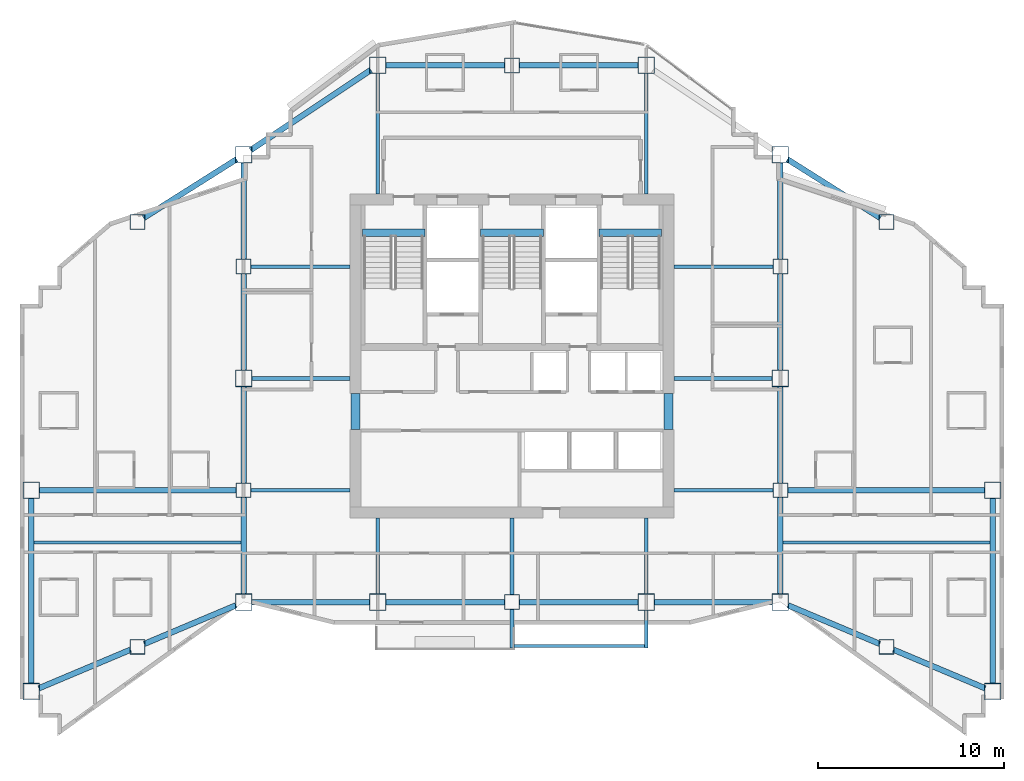
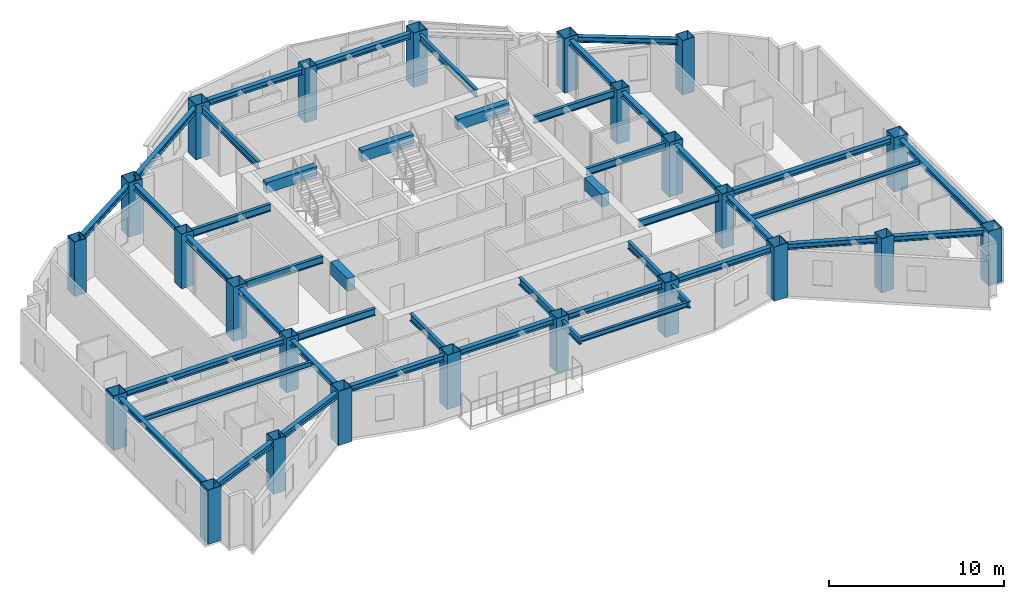
# One storey, part 1 of 12: 46 beams, 24 columns.
"""IFC4 building model written with IfcOpenShell, lengths in metres."""

from ifc_helpers import new_model, si_unit, direction, frame, origin, origin_2d, place, context, subcontext, project, spatial, rectangle, hollow_rectangle, i_section, extrude, material, material_profile, profile_set, type_object, element, save


model = new_model("IFC4")

# Units and contexts
model_context = context("Model", 3, precision=1e-05, world=origin(), true_north=direction((0.0, 1.0)))
body_context = subcontext(model_context, "Body", "Model", "MODEL_VIEW")
ifc_project = project(units=[si_unit("LENGTHUNIT", "METRE"), si_unit("AREAUNIT", "SQUARE_METRE"), si_unit("VOLUMEUNIT", "CUBIC_METRE"), si_unit("PLANEANGLEUNIT", "RADIAN"), si_unit("MASSUNIT", "GRAM", prefix="KILO")], contexts=[model_context])

# Site, building, storey
site_placement = place(None, origin())
site = spatial("IfcSite", under=ifc_project, at=site_placement, CompositionType="ELEMENT")
building_placement = place(site_placement, origin())
building = spatial("IfcBuilding", under=site, at=building_placement, Name="Haolan Belvedere Tower", CompositionType="ELEMENT")
storey_placement = place(building_placement, frame((0.0, 0.0, 195.60009765625)))
storey = spatial("IfcBuildingStorey", under=building, at=storey_placement, Name="L49", CompositionType="ELEMENT", Elevation=195.60009765625)

# Columns
ifc_material_1 = material(Name="Steel Q390GJC", Category="steel")
ifc_material_profile_1 = material_profile(ifc_material_1, hollow_rectangle(XDim=0.800048828125, YDim=0.800048828125, WallThickness=0.030029296875, at=origin_2d()), Name="Steel Q390GJC")
ifc_profile_set_1 = profile_set([ifc_material_profile_1], Name="Steel Q390GJC")
column_type_1 = type_object("IfcColumnType", Name="COL-BOX800x800x30", PredefinedType="COLUMN", material=ifc_profile_set_1)
for number, where, z_axis, x_axis, name in (
    (1, (24.0, 27.60009765625, 0.0), (0.0, 0.0, 1.0), (1.0, 0.0, 0.0), "L49 column TC-T3-W1 (BOX800x800x30)"),
    (2, (24.0, 39.60009765625, 0.0), (0.0, 0.0, 1.0), (1.0, 0.0, 0.0), "L49 column TC-T3-W2 (BOX800x800x30)"),
    (3, (52.800048828125, 27.60009765625, 0.0), (0.0, 0.0, 1.0), (1.0, 0.0, 0.0), "L49 column TC-T3-E1 (BOX800x800x30)"),
    (4, (52.800048828125, 39.60009765625, 0.0), (0.0, 0.0, 1.0), (1.0, 0.0, 0.0), "L49 column TC-T3-E2 (BOX800x800x30)"),
    (5, (38.39990234375, 21.60009765625, 0.0), (0.0, 0.0, 1.0), (1.0, 0.0, 0.0), "L49 column TC-T3-SM (BOX800x800x30)"),
    (6, (38.39990234375, 50.39990234375, 0.0), (0.0, 0.0, 1.0), (1.0, 0.0, 0.0), "L49 column TC-T3-NM (BOX800x800x30)"),
    (7, (18.300048828125, 19.199951171875, 0.0), (0.0, 0.0, 1.0), (1.0, 0.0, 0.0), "L49 column TC-T2-S1 (BOX800x800x30)"),
    (8, (18.300048828125, 42.0, 0.0), (0.0, 0.0, 1.0), (1.0, 0.0, 0.0), "L49 column TC-T2-N1 (BOX800x800x30)"),
    (9, (58.5, 19.199951171875, 0.0), (0.0, 0.0, 1.0), (1.0, 0.0, 0.0), "L49 column TC-T4-S1 (BOX800x800x30)"),
    (10, (58.5, 42.0, 0.0), (0.0, 0.0, 1.0), (1.0, 0.0, 0.0), "L49 column TC-T4-N1 (BOX800x800x30)"),
):
    element("IfcColumn", number, at=place(storey_placement, frame(where, z_axis=z_axis, x_axis=x_axis)), inside=storey, type_object=column_type_1, Name=name, PredefinedType="COLUMN", context=body_context, shape_type="SweptSolid", body=[
        extrude(hollow_rectangle(XDim=0.800048828125, YDim=0.800048828125, WallThickness=0.030029296875, at=origin_2d()), origin(), (0.0, 0.0, 1.0), 3.7998046875),
    ])
ifc_material_profile_2 = material_profile(ifc_material_1, hollow_rectangle(XDim=0.89990234375, YDim=0.89990234375, WallThickness=0.033935546875, at=origin_2d()), Name="Steel Q390GJC")
ifc_profile_set_2 = profile_set([ifc_material_profile_2], Name="Steel Q390GJC")
column_type_2 = type_object("IfcColumnType", Name="COL-BOX900x900x34", PredefinedType="COLUMN", material=ifc_profile_set_2)
for number, where, z_axis, x_axis, name in (
    (11, (24.0, 21.60009765625, 0.0), (0.0, 0.0, 1.0), (1.0, 0.0, 0.0), "L49 column MC-T3-SW (BOX900x900x34)"),
    (12, (24.0, 33.60009765625, 0.0), (0.0, 0.0, 1.0), (1.0, 0.0, 0.0), "L49 column MC-T3-MW (BOX900x900x34)"),
    (13, (24.0, 45.60009765625, 0.0), (0.0, 0.0, 1.0), (1.0, 0.0, 0.0), "L49 column MC-T3-NW (BOX900x900x34)"),
    (14, (52.800048828125, 21.60009765625, 0.0), (0.0, 0.0, 1.0), (1.0, 0.0, 0.0), "L49 column MC-T3-SE (BOX900x900x34)"),
    (15, (52.800048828125, 33.60009765625, 0.0), (0.0, 0.0, 1.0), (1.0, 0.0, 0.0), "L49 column MC-T3-ME (BOX900x900x34)"),
    (16, (52.800048828125, 45.60009765625, 0.0), (0.0, 0.0, 1.0), (1.0, 0.0, 0.0), "L49 column MC-T3-NE (BOX900x900x34)"),
    (17, (31.199951171875, 21.60009765625, 0.0), (0.0, 0.0, 1.0), (1.0, 0.0, 0.0), "L49 column MC-T3-S1 (BOX900x900x34)"),
    (18, (45.60009765625, 21.60009765625, 0.0), (0.0, 0.0, 1.0), (1.0, 0.0, 0.0), "L49 column MC-T3-S2 (BOX900x900x34)"),
    (19, (31.199951171875, 50.39990234375, 0.0), (0.0, 0.0, 1.0), (1.0, 0.0, 0.0), "L49 column MC-T3-N1 (BOX900x900x34)"),
    (20, (45.60009765625, 50.39990234375, 0.0), (0.0, 0.0, 1.0), (1.0, 0.0, 0.0), "L49 column MC-T3-N2 (BOX900x900x34)"),
    (21, (12.60009765625, 16.800048828125, 0.0), (0.0, 0.0, 1.0), (1.0, 0.0, 0.0), "L49 column MC-T2-SW (BOX900x900x34)"),
    (22, (12.60009765625, 27.60009765625, 0.0), (0.0, 0.0, 1.0), (1.0, 0.0, 0.0), "L49 column MC-T2-MW (BOX900x900x34)"),
    (23, (64.199951171875, 16.800048828125, 0.0), (0.0, 0.0, 1.0), (1.0, 0.0, 0.0), "L49 column MC-T4-SE (BOX900x900x34)"),
    (24, (64.199951171875, 27.60009765625, 0.0), (0.0, 0.0, 1.0), (1.0, 0.0, 0.0), "L49 column MC-T4-ME (BOX900x900x34)"),
):
    element("IfcColumn", number, at=place(storey_placement, frame(where, z_axis=z_axis, x_axis=x_axis)), inside=storey, type_object=column_type_2, Name=name, PredefinedType="COLUMN", context=body_context, shape_type="SweptSolid", body=[
        extrude(hollow_rectangle(XDim=0.89990234375, YDim=0.89990234375, WallThickness=0.033935546875, at=origin_2d()), origin(), (0.0, 0.0, 1.0), 3.7998046875),
    ])

# Beams
ifc_material_2 = material(Name="Steel Q355B", Category="steel")
ifc_material_profile_3 = material_profile(ifc_material_2, i_section(OverallWidth=0.300048828125, OverallDepth=0.389892578125, WebThickness=0.010009765625, FlangeThickness=0.01611328125, FilletRadius=0.02197265625, at=origin_2d()), Name="Steel Q355B")
ifc_profile_set_3 = profile_set([ifc_material_profile_3], Name="Steel Q355B")
beam_type_1 = type_object("IfcBeamType", Name="BM-HM390x300x10x16", PredefinedType="SPANDREL", material=ifc_profile_set_3)
for number, where, z_axis, x_axis, name in (
    (25, (24.0, 22.050048828125, 3.4248046875), (0.0, 1.0, 0.0), (-1.0, 0.0, 0.0), "L49 spandrel girder MC-T3-SW-TC-T3-W1"),
    (26, (24.0, 28.0, 3.4248046875), (0.0, 1.0, 0.0), (-1.0, 0.0, 0.0), "L49 spandrel girder TC-T3-W1-MC-T3-MW"),
    (27, (24.0, 34.050048828125, 3.4248046875), (0.0, 1.0, 0.0), (-1.0, 0.0, 0.0), "L49 spandrel girder MC-T3-MW-TC-T3-W2"),
    (28, (24.0, 40.0, 3.4248046875), (0.0, 1.0, 0.0), (-1.0, 0.0, 0.0), "L49 spandrel girder TC-T3-W2-MC-T3-NW"),
    (29, (52.800048828125, 22.050048828125, 3.4248046875), (0.0, 1.0, 0.0), (-1.0, 0.0, 0.0), "L49 spandrel girder MC-T3-SE-TC-T3-E1"),
    (30, (52.800048828125, 28.0, 3.4248046875), (0.0, 1.0, 0.0), (-1.0, 0.0, 0.0), "L49 spandrel girder TC-T3-E1-MC-T3-ME"),
    (31, (52.800048828125, 34.050048828125, 3.4248046875), (0.0, 1.0, 0.0), (-1.0, 0.0, 0.0), "L49 spandrel girder MC-T3-ME-TC-T3-E2"),
    (32, (52.800048828125, 40.0, 3.4248046875), (0.0, 1.0, 0.0), (-1.0, 0.0, 0.0), "L49 spandrel girder TC-T3-E2-MC-T3-NE"),
):
    element("IfcBeam", number, at=place(storey_placement, frame(where, z_axis=z_axis, x_axis=x_axis)), inside=storey, type_object=beam_type_1, Name=name, PredefinedType="SPANDREL", context=body_context, shape_type="SweptSolid", body=[
        extrude(i_section(OverallWidth=0.300048828125, OverallDepth=0.389892578125, WebThickness=0.010009765625, FlangeThickness=0.01611328125, FilletRadius=0.02197265625, at=origin_2d()), origin(), (0.0, 0.0, 1.0), 5.14990234375),
    ])
beam_1_placement = place(storey_placement, frame((24.449951171875, 21.60009765625, 3.4248046875), z_axis=(1.0, 0.0, 0.0), x_axis=(0.0, 1.0, 0.0)))
element("IfcBeam", 33, at=beam_1_placement, inside=storey, type_object=beam_type_1, Name="L49 spandrel girder MC-T3-SW-MC-T3-S1", PredefinedType="SPANDREL", context=body_context, shape_type="SweptSolid", body=[
    extrude(i_section(OverallWidth=0.300048828125, OverallDepth=0.389892578125, WebThickness=0.010009765625, FlangeThickness=0.01611328125, FilletRadius=0.02197265625, at=origin_2d()), origin(), (0.0, 0.0, 1.0), 6.300048828125),
])
beam_2_placement = place(storey_placement, frame((31.64990234375, 21.60009765625, 3.4248046875), z_axis=(1.0, 0.0, 0.0), x_axis=(0.0, 1.0, 0.0)))
element("IfcBeam", 34, at=beam_2_placement, inside=storey, type_object=beam_type_1, Name="L49 spandrel girder MC-T3-S1-TC-T3-SM", PredefinedType="SPANDREL", context=body_context, shape_type="SweptSolid", body=[
    extrude(i_section(OverallWidth=0.300048828125, OverallDepth=0.389892578125, WebThickness=0.010009765625, FlangeThickness=0.01611328125, FilletRadius=0.02197265625, at=origin_2d()), origin(), (0.0, 0.0, 1.0), 6.35009765625),
])
beam_3_placement = place(storey_placement, frame((38.800048828125, 21.60009765625, 3.4248046875), z_axis=(1.0, 0.0, 0.0), x_axis=(0.0, 1.0, 0.0)))
element("IfcBeam", 35, at=beam_3_placement, inside=storey, type_object=beam_type_1, Name="L49 spandrel girder TC-T3-SM-MC-T3-S2", PredefinedType="SPANDREL", context=body_context, shape_type="SweptSolid", body=[
    extrude(i_section(OverallWidth=0.300048828125, OverallDepth=0.389892578125, WebThickness=0.010009765625, FlangeThickness=0.01611328125, FilletRadius=0.02197265625, at=origin_2d()), origin(), (0.0, 0.0, 1.0), 6.349853515625),
])
beam_4_placement = place(storey_placement, frame((46.050048828125, 21.60009765625, 3.4248046875), z_axis=(1.0, 0.0, 0.0), x_axis=(0.0, 1.0, 0.0)))
element("IfcBeam", 36, at=beam_4_placement, inside=storey, type_object=beam_type_1, Name="L49 spandrel girder MC-T3-S2-MC-T3-SE", PredefinedType="SPANDREL", context=body_context, shape_type="SweptSolid", body=[
    extrude(i_section(OverallWidth=0.300048828125, OverallDepth=0.389892578125, WebThickness=0.010009765625, FlangeThickness=0.01611328125, FilletRadius=0.02197265625, at=origin_2d()), origin(), (0.0, 0.0, 1.0), 6.300048828125),
])
beam_5_placement = place(storey_placement, frame((24.37451171875, 45.849609375, 3.4248046875), z_axis=(0.832050294338, 0.554700196225, 0.0), x_axis=(-0.554700196225, 0.832050294338, 0.0)))
element("IfcBeam", 37, at=beam_5_placement, inside=storey, type_object=beam_type_1, Name="L49 spandrel girder MC-T3-NW-MC-T3-N1", PredefinedType="SPANDREL", context=body_context, shape_type="SweptSolid", body=[
    extrude(i_section(OverallWidth=0.300048828125, OverallDepth=0.389892578125, WebThickness=0.010009765625, FlangeThickness=0.01611328125, FilletRadius=0.02197265625, at=origin_2d()), origin(), (0.0, 0.0, 1.0), 7.75341796875),
])
beam_6_placement = place(storey_placement, frame((31.64990234375, 50.39990234375, 3.4248046875), z_axis=(1.0, 0.0, 0.0), x_axis=(0.0, 1.0, 0.0)))
element("IfcBeam", 38, at=beam_6_placement, inside=storey, type_object=beam_type_1, Name="L49 spandrel girder MC-T3-N1-TC-T3-NM", PredefinedType="SPANDREL", context=body_context, shape_type="SweptSolid", body=[
    extrude(i_section(OverallWidth=0.300048828125, OverallDepth=0.389892578125, WebThickness=0.010009765625, FlangeThickness=0.01611328125, FilletRadius=0.02197265625, at=origin_2d()), origin(), (0.0, 0.0, 1.0), 6.35009765625),
])
beam_7_placement = place(storey_placement, frame((38.800048828125, 50.39990234375, 3.4248046875), z_axis=(1.0, 0.0, 0.0), x_axis=(0.0, 1.0, 0.0)))
element("IfcBeam", 39, at=beam_7_placement, inside=storey, type_object=beam_type_1, Name="L49 spandrel girder TC-T3-NM-MC-T3-N2", PredefinedType="SPANDREL", context=body_context, shape_type="SweptSolid", body=[
    extrude(i_section(OverallWidth=0.300048828125, OverallDepth=0.389892578125, WebThickness=0.010009765625, FlangeThickness=0.01611328125, FilletRadius=0.02197265625, at=origin_2d()), origin(), (0.0, 0.0, 1.0), 6.349853515625),
])
beam_8_placement = place(storey_placement, frame((12.60009765625, 17.25, 3.4248046875), z_axis=(0.0, 1.0, 0.0), x_axis=(-1.0, 0.0, 0.0)))
element("IfcBeam", 40, at=beam_8_placement, inside=storey, type_object=beam_type_1, Name="L49 spandrel girder MC-T2-SW-MC-T2-MW", PredefinedType="SPANDREL", context=body_context, shape_type="SweptSolid", body=[
    extrude(i_section(OverallWidth=0.300048828125, OverallDepth=0.389892578125, WebThickness=0.010009765625, FlangeThickness=0.01611328125, FilletRadius=0.02197265625, at=origin_2d()), origin(), (0.0, 0.0, 1.0), 9.89990234375),
])
beam_9_placement = place(storey_placement, frame((13.0146484375, 16.974609375, 3.4248046875), z_axis=(0.921644850741, 0.388034494733, 0.0), x_axis=(-0.388034494733, 0.921644850741, 0.0)))
element("IfcBeam", 41, at=beam_9_placement, inside=storey, type_object=beam_type_1, Name="L49 spandrel girder MC-T2-SW-TC-T2-S1", PredefinedType="SPANDREL", context=body_context, shape_type="SweptSolid", body=[
    extrude(i_section(OverallWidth=0.300048828125, OverallDepth=0.389892578125, WebThickness=0.010009765625, FlangeThickness=0.01611328125, FilletRadius=0.02197265625, at=origin_2d()), origin(), (0.0, 0.0, 1.0), 5.334716796875),
])
beam_10_placement = place(storey_placement, frame((18.668701171875, 19.355224609375, 3.4248046875), z_axis=(0.921637959557, 0.388050862006, 0.0), x_axis=(-0.388050862006, 0.921637959557, 0.0)))
element("IfcBeam", 42, at=beam_10_placement, inside=storey, type_object=beam_type_1, Name="L49 spandrel girder TC-T2-S1-MC-T3-SW", PredefinedType="SPANDREL", context=body_context, shape_type="SweptSolid", body=[
    extrude(i_section(OverallWidth=0.300048828125, OverallDepth=0.389892578125, WebThickness=0.010009765625, FlangeThickness=0.01611328125, FilletRadius=0.02197265625, at=origin_2d()), origin(), (0.0, 0.0, 1.0), 5.33447265625),
])
beam_11_placement = place(storey_placement, frame((18.63818359375, 42.213623046875, 3.4248046875), z_axis=(0.845502688092, 0.533971164417, 0.0), x_axis=(-0.533971164417, 0.845502688092, 0.0)))
element("IfcBeam", 43, at=beam_11_placement, inside=storey, type_object=beam_type_1, Name="L49 spandrel girder TC-T2-N1-MC-T3-NW", PredefinedType="SPANDREL", context=body_context, shape_type="SweptSolid", body=[
    extrude(i_section(OverallWidth=0.300048828125, OverallDepth=0.389892578125, WebThickness=0.010009765625, FlangeThickness=0.01611328125, FilletRadius=0.02197265625, at=origin_2d()), origin(), (0.0, 0.0, 1.0), 5.8916015625),
])
beam_12_placement = place(storey_placement, frame((13.050048828125, 27.60009765625, 3.4248046875), z_axis=(1.0, 0.0, 0.0), x_axis=(0.0, 1.0, 0.0)))
element("IfcBeam", 44, at=beam_12_placement, inside=storey, type_object=beam_type_1, Name="L49 spandrel girder MC-T2-MW-TC-T3-W1", PredefinedType="SPANDREL", context=body_context, shape_type="SweptSolid", body=[
    extrude(i_section(OverallWidth=0.300048828125, OverallDepth=0.389892578125, WebThickness=0.010009765625, FlangeThickness=0.01611328125, FilletRadius=0.02197265625, at=origin_2d()), origin(), (0.0, 0.0, 1.0), 10.550048828125),
])
beam_13_placement = place(storey_placement, frame((64.199951171875, 17.25, 3.4248046875), z_axis=(0.0, 1.0, 0.0), x_axis=(-1.0, 0.0, 0.0)))
element("IfcBeam", 45, at=beam_13_placement, inside=storey, type_object=beam_type_1, Name="L49 spandrel girder MC-T4-SE-MC-T4-ME", PredefinedType="SPANDREL", context=body_context, shape_type="SweptSolid", body=[
    extrude(i_section(OverallWidth=0.300048828125, OverallDepth=0.389892578125, WebThickness=0.010009765625, FlangeThickness=0.01611328125, FilletRadius=0.02197265625, at=origin_2d()), origin(), (0.0, 0.0, 1.0), 9.89990234375),
])
for number, where, z_axis, x_axis, name in (
    (46, (53.21484375, 21.42529296875, 3.4248046875), (0.921637959557, -0.388050862006, 0.0), (0.388050862006, 0.921637959557, 0.0), "L49 spandrel girder MC-T3-SE-TC-T4-S1"),
    (47, (58.86865234375, 19.044677734375, 3.4248046875), (0.921637959557, -0.388050862006, 0.0), (0.388050862006, 0.921637959557, 0.0), "L49 spandrel girder TC-T4-S1-MC-T4-SE"),
):
    element("IfcBeam", number, at=place(storey_placement, frame(where, z_axis=z_axis, x_axis=x_axis)), inside=storey, type_object=beam_type_1, Name=name, PredefinedType="SPANDREL", context=body_context, shape_type="SweptSolid", body=[
        extrude(i_section(OverallWidth=0.300048828125, OverallDepth=0.389892578125, WebThickness=0.010009765625, FlangeThickness=0.01611328125, FilletRadius=0.02197265625, at=origin_2d()), origin(), (0.0, 0.0, 1.0), 5.33447265625),
    ])
beam_14_placement = place(storey_placement, frame((53.180419921875, 45.359619140625, 3.4248046875), z_axis=(0.845502688092, -0.533971164417, 0.0), x_axis=(0.533971164417, 0.845502688092, 0.0)))
element("IfcBeam", 48, at=beam_14_placement, inside=storey, type_object=beam_type_1, Name="L49 spandrel girder MC-T3-NE-TC-T4-N1", PredefinedType="SPANDREL", context=body_context, shape_type="SweptSolid", body=[
    extrude(i_section(OverallWidth=0.300048828125, OverallDepth=0.389892578125, WebThickness=0.010009765625, FlangeThickness=0.01611328125, FilletRadius=0.02197265625, at=origin_2d()), origin(), (0.0, 0.0, 1.0), 5.8916015625),
])
beam_15_placement = place(storey_placement, frame((53.199951171875, 27.60009765625, 3.4248046875), z_axis=(1.0, 0.0, 0.0), x_axis=(0.0, 1.0, 0.0)))
element("IfcBeam", 49, at=beam_15_placement, inside=storey, type_object=beam_type_1, Name="L49 spandrel girder TC-T3-E1-MC-T4-ME", PredefinedType="SPANDREL", context=body_context, shape_type="SweptSolid", body=[
    extrude(i_section(OverallWidth=0.300048828125, OverallDepth=0.389892578125, WebThickness=0.010009765625, FlangeThickness=0.01611328125, FilletRadius=0.02197265625, at=origin_2d()), origin(), (0.0, 0.0, 1.0), 10.550048828125),
])
ifc_material_profile_4 = material_profile(ifc_material_2, i_section(OverallWidth=0.175048828125, OverallDepth=0.35009765625, WebThickness=0.007080078125, FlangeThickness=0.010986328125, FilletRadius=0.012939453125, at=origin_2d()), Name="Steel Q355B")
ifc_profile_set_4 = profile_set([ifc_material_profile_4], Name="Steel Q355B")
beam_type_2 = type_object("IfcBeamType", Name="BM-HN350x175x7x11", PredefinedType="JOIST", material=ifc_profile_set_4)
for number, where, z_axis, x_axis, name in (
    (50, (12.75, 24.800048828125, 3.44482421875), (1.0, 0.0, 0.0), (0.0, 1.0, 0.0), "L49 west wing floor joist 1"),
    (51, (52.949951171875, 24.800048828125, 3.44482421875), (1.0, 0.0, 0.0), (0.0, 1.0, 0.0), "L49 east wing floor joist 1"),
):
    element("IfcBeam", number, at=place(storey_placement, frame(where, z_axis=z_axis, x_axis=x_axis)), inside=storey, type_object=beam_type_2, Name=name, PredefinedType="JOIST", context=body_context, shape_type="SweptSolid", body=[
        extrude(i_section(OverallWidth=0.175048828125, OverallDepth=0.35009765625, WebThickness=0.007080078125, FlangeThickness=0.010986328125, FilletRadius=0.012939453125, at=origin_2d()), origin(), (0.0, 0.0, 1.0), 11.10009765625),
    ])
beam_16_placement = place(storey_placement, frame((38.5, 19.239990234375, 3.39501953125), z_axis=(1.0, 0.0, 0.0), x_axis=(0.0, 1.0, 0.0)))
element("IfcBeam", 52, at=beam_16_placement, inside=storey, type_object=beam_type_2, Name="L50 tree-balcony front trimmer beam 1", PredefinedType="BEAM", context=body_context, shape_type="SweptSolid", body=[
    extrude(i_section(OverallWidth=0.175048828125, OverallDepth=0.35009765625, WebThickness=0.007080078125, FlangeThickness=0.010986328125, FilletRadius=0.012939453125, at=origin_2d()), origin(), (0.0, 0.0, 1.0), 7.0),
])
ifc_material_profile_5 = material_profile(ifc_material_2, i_section(OverallWidth=0.199951171875, OverallDepth=0.449951171875, WebThickness=0.009033203125, FlangeThickness=0.013916015625, FilletRadius=0.01611328125, at=origin_2d()), Name="Steel Q355B")
ifc_profile_set_5 = profile_set([ifc_material_profile_5], Name="Steel Q355B")
beam_type_3 = type_object("IfcBeamType", Name="BM-HN450x200x9x14", PredefinedType="BEAM", material=ifc_profile_set_5)
beam_17_placement = place(storey_placement, frame((38.39990234375, 21.199951171875, 3.344970703125), z_axis=(0.0, -1.0, 0.0), x_axis=(1.0, 0.0, 0.0)))
element("IfcBeam", 53, at=beam_17_placement, inside=storey, type_object=beam_type_3, Name="L50 tree-balcony column cantilever TC-T3-SM", PredefinedType="BEAM", context=body_context, shape_type="SweptSolid", body=[
    extrude(i_section(OverallWidth=0.199951171875, OverallDepth=0.449951171875, WebThickness=0.009033203125, FlangeThickness=0.013916015625, FilletRadius=0.01611328125, at=origin_2d()), origin(), (0.0, 0.0, 1.0), 2.06005859375),
])
beam_18_placement = place(storey_placement, frame((45.60009765625, 21.14990234375, 3.344970703125), z_axis=(0.0, -1.0, 0.0), x_axis=(1.0, 0.0, 0.0)))
element("IfcBeam", 54, at=beam_18_placement, inside=storey, type_object=beam_type_3, Name="L50 tree-balcony column cantilever MC-T3-S2", PredefinedType="BEAM", context=body_context, shape_type="SweptSolid", body=[
    extrude(i_section(OverallWidth=0.199951171875, OverallDepth=0.449951171875, WebThickness=0.009033203125, FlangeThickness=0.013916015625, FilletRadius=0.01611328125, at=origin_2d()), origin(), (0.0, 0.0, 1.0), 2.010009765625),
])
ifc_material_profile_6 = material_profile(ifc_material_2, i_section(OverallWidth=0.199951171875, OverallDepth=0.5, WebThickness=0.010009765625, FlangeThickness=0.01611328125, FilletRadius=0.02001953125, at=origin_2d()), Name="Steel Q355B")
ifc_profile_set_6 = profile_set([ifc_material_profile_6], Name="Steel Q355B")
beam_type_4 = type_object("IfcBeamType", Name="BM-HN500x200x10x16", PredefinedType="BEAM", material=ifc_profile_set_6)
beam_19_placement = place(storey_placement, frame((24.449951171875, 33.60009765625, 3.369873046875), z_axis=(1.0, 0.0, 0.0), x_axis=(0.0, 1.0, 0.0)))
element("IfcBeam", 55, at=beam_19_placement, inside=storey, type_object=beam_type_4, Name="L49 core tie beam from MC-T3-MW", PredefinedType="BEAM", context=body_context, shape_type="SweptSolid", body=[
    extrude(i_section(OverallWidth=0.199951171875, OverallDepth=0.5, WebThickness=0.010009765625, FlangeThickness=0.01611328125, FilletRadius=0.02001953125, at=origin_2d()), origin(), (0.0, 0.0, 1.0), 5.25),
])
for number, where, z_axis, x_axis, name in (
    (56, (24.39990234375, 27.60009765625, 3.369873046875), (1.0, 0.0, 0.0), (0.0, 1.0, 0.0), "L49 core tie beam from TC-T3-W1"),
    (57, (24.39990234375, 39.60009765625, 3.369873046875), (1.0, 0.0, 0.0), (0.0, 1.0, 0.0), "L49 core tie beam from TC-T3-W2"),
):
    element("IfcBeam", number, at=place(storey_placement, frame(where, z_axis=z_axis, x_axis=x_axis)), inside=storey, type_object=beam_type_4, Name=name, PredefinedType="BEAM", context=body_context, shape_type="SweptSolid", body=[
        extrude(i_section(OverallWidth=0.199951171875, OverallDepth=0.5, WebThickness=0.010009765625, FlangeThickness=0.01611328125, FilletRadius=0.02001953125, at=origin_2d()), origin(), (0.0, 0.0, 1.0), 5.300048828125),
    ])
beam_20_placement = place(storey_placement, frame((52.35009765625, 33.60009765625, 3.369873046875), z_axis=(-1.0, 0.0, 0.0), x_axis=(0.0, -1.0, 0.0)))
element("IfcBeam", 58, at=beam_20_placement, inside=storey, type_object=beam_type_4, Name="L49 core tie beam from MC-T3-ME", PredefinedType="BEAM", context=body_context, shape_type="SweptSolid", body=[
    extrude(i_section(OverallWidth=0.199951171875, OverallDepth=0.5, WebThickness=0.010009765625, FlangeThickness=0.01611328125, FilletRadius=0.02001953125, at=origin_2d()), origin(), (0.0, 0.0, 1.0), 5.25),
])
for number, where, z_axis, x_axis, name in (
    (59, (52.39990234375, 27.60009765625, 3.369873046875), (-1.0, 0.0, 0.0), (0.0, -1.0, 0.0), "L49 core tie beam from TC-T3-E1"),
    (60, (52.39990234375, 39.60009765625, 3.369873046875), (-1.0, 0.0, 0.0), (0.0, -1.0, 0.0), "L49 core tie beam from TC-T3-E2"),
):
    element("IfcBeam", number, at=place(storey_placement, frame(where, z_axis=z_axis, x_axis=x_axis)), inside=storey, type_object=beam_type_4, Name=name, PredefinedType="BEAM", context=body_context, shape_type="SweptSolid", body=[
        extrude(i_section(OverallWidth=0.199951171875, OverallDepth=0.5, WebThickness=0.010009765625, FlangeThickness=0.01611328125, FilletRadius=0.02001953125, at=origin_2d()), origin(), (0.0, 0.0, 1.0), 5.2998046875),
    ])
beam_21_placement = place(storey_placement, frame((31.199951171875, 22.050048828125, 3.369873046875), z_axis=(0.0, 1.0, 0.0), x_axis=(-1.0, 0.0, 0.0)))
element("IfcBeam", 61, at=beam_21_placement, inside=storey, type_object=beam_type_4, Name="L49 core tie beam from MC-T3-S1", PredefinedType="BEAM", context=body_context, shape_type="SweptSolid", body=[
    extrude(i_section(OverallWidth=0.199951171875, OverallDepth=0.5, WebThickness=0.010009765625, FlangeThickness=0.01611328125, FilletRadius=0.02001953125, at=origin_2d()), origin(), (0.0, 0.0, 1.0), 4.050048828125),
])
beam_22_placement = place(storey_placement, frame((38.39990234375, 22.0, 3.369873046875), z_axis=(0.0, 1.0, 0.0), x_axis=(-1.0, 0.0, 0.0)))
element("IfcBeam", 62, at=beam_22_placement, inside=storey, type_object=beam_type_4, Name="L49 core tie beam from TC-T3-SM", PredefinedType="BEAM", context=body_context, shape_type="SweptSolid", body=[
    extrude(i_section(OverallWidth=0.199951171875, OverallDepth=0.5, WebThickness=0.010009765625, FlangeThickness=0.01611328125, FilletRadius=0.02001953125, at=origin_2d()), origin(), (0.0, 0.0, 1.0), 4.10009765625),
])
beam_23_placement = place(storey_placement, frame((45.60009765625, 22.050048828125, 3.369873046875), z_axis=(0.0, 1.0, 0.0), x_axis=(-1.0, 0.0, 0.0)))
element("IfcBeam", 63, at=beam_23_placement, inside=storey, type_object=beam_type_4, Name="L49 core tie beam from MC-T3-S2", PredefinedType="BEAM", context=body_context, shape_type="SweptSolid", body=[
    extrude(i_section(OverallWidth=0.199951171875, OverallDepth=0.5, WebThickness=0.010009765625, FlangeThickness=0.01611328125, FilletRadius=0.02001953125, at=origin_2d()), origin(), (0.0, 0.0, 1.0), 4.050048828125),
])
for number, where, z_axis, x_axis, name in (
    (64, (31.199951171875, 49.949951171875, 3.369873046875), (0.0, -1.0, 0.0), (1.0, 0.0, 0.0), "L49 core tie beam from MC-T3-N1"),
    (65, (45.60009765625, 49.949951171875, 3.369873046875), (0.0, -1.0, 0.0), (1.0, 0.0, 0.0), "L49 core tie beam from MC-T3-N2"),
):
    element("IfcBeam", number, at=place(storey_placement, frame(where, z_axis=z_axis, x_axis=x_axis)), inside=storey, type_object=beam_type_4, Name=name, PredefinedType="BEAM", context=body_context, shape_type="SweptSolid", body=[
        extrude(i_section(OverallWidth=0.199951171875, OverallDepth=0.5, WebThickness=0.010009765625, FlangeThickness=0.01611328125, FilletRadius=0.02001953125, at=origin_2d()), origin(), (0.0, 0.0, 1.0), 6.449951171875),
    ])
ifc_material_3 = material(Name="Concrete C50/60", Category="concrete")
ifc_material_profile_7 = material_profile(ifc_material_3, rectangle(XDim=0.39990234375, YDim=0.75, at=origin_2d()), Name="Concrete C50/60")
ifc_profile_set_7 = profile_set([ifc_material_profile_7], Name="Concrete C50/60")
beam_type_5 = type_object("IfcBeamType", Name="BM-RC400x750", PredefinedType="T_BEAM", material=ifc_profile_set_7)
beam_24_placement = place(storey_placement, frame((30.3798828125, 41.429931640625, 3.4248046875), z_axis=(1.0, 0.0, 0.0), x_axis=(0.0, 1.0, 0.0)))
element("IfcBeam", 66, at=beam_24_placement, inside=storey, type_object=beam_type_5, Name="L50 stair ST1 RC header trimmer beam", PredefinedType="BEAM", context=body_context, shape_type="SweptSolid", body=[
    extrude(rectangle(XDim=0.39990234375, YDim=0.75, at=origin_2d()), origin(), (0.0, 0.0, 1.0), 3.360107421875),
])
beam_25_placement = place(storey_placement, frame((36.699951171875, 41.429931640625, 3.4248046875), z_axis=(1.0, 0.0, 0.0), x_axis=(0.0, 1.0, 0.0)))
element("IfcBeam", 67, at=beam_25_placement, inside=storey, type_object=beam_type_5, Name="L50 stair ST3 RC header trimmer beam", PredefinedType="BEAM", context=body_context, shape_type="SweptSolid", body=[
    extrude(rectangle(XDim=0.39990234375, YDim=0.75, at=origin_2d()), origin(), (0.0, 0.0, 1.0), 3.400146484375),
])
beam_26_placement = place(storey_placement, frame((43.06005859375, 41.429931640625, 3.4248046875), z_axis=(1.0, 0.0, 0.0), x_axis=(0.0, 1.0, 0.0)))
element("IfcBeam", 68, at=beam_26_placement, inside=storey, type_object=beam_type_5, Name="L50 stair ST2 RC header trimmer beam", PredefinedType="BEAM", context=body_context, shape_type="SweptSolid", body=[
    extrude(rectangle(XDim=0.39990234375, YDim=0.75, at=origin_2d()), origin(), (0.0, 0.0, 1.0), 3.35986328125),
])
ifc_material_4 = material(Name="Concrete C60/75", Category="concrete")
ifc_material_profile_8 = material_profile(ifc_material_4, rectangle(XDim=0.5, YDim=0.89990234375, at=origin_2d()), Name="Concrete C60/75")
ifc_profile_set_8 = profile_set([ifc_material_profile_8], Name="Concrete C60/75")
beam_type_6 = type_object("IfcBeamType", Name="BM-RC500x900", PredefinedType="LINTEL", material=ifc_profile_set_8)
for number, where, z_axis, x_axis, name in (
    (69, (30.0, 30.85009765625, 3.169921875), (0.0, 1.0, 0.0), (-1.0, 0.0, 0.0), "L49 west core coupling beam CB-01"),
    (70, (46.800048828125, 30.85009765625, 3.169921875), (0.0, 1.0, 0.0), (-1.0, 0.0, 0.0), "L49 east core coupling beam CB-01"),
):
    element("IfcBeam", number, at=place(storey_placement, frame(where, z_axis=z_axis, x_axis=x_axis)), inside=storey, type_object=beam_type_6, Name=name, PredefinedType="LINTEL", context=body_context, shape_type="SweptSolid", body=[
        extrude(rectangle(XDim=0.5, YDim=0.89990234375, at=origin_2d()), origin(), (0.0, 0.0, 1.0), 1.949951171875),
    ])

save(model, "model.ifc")
